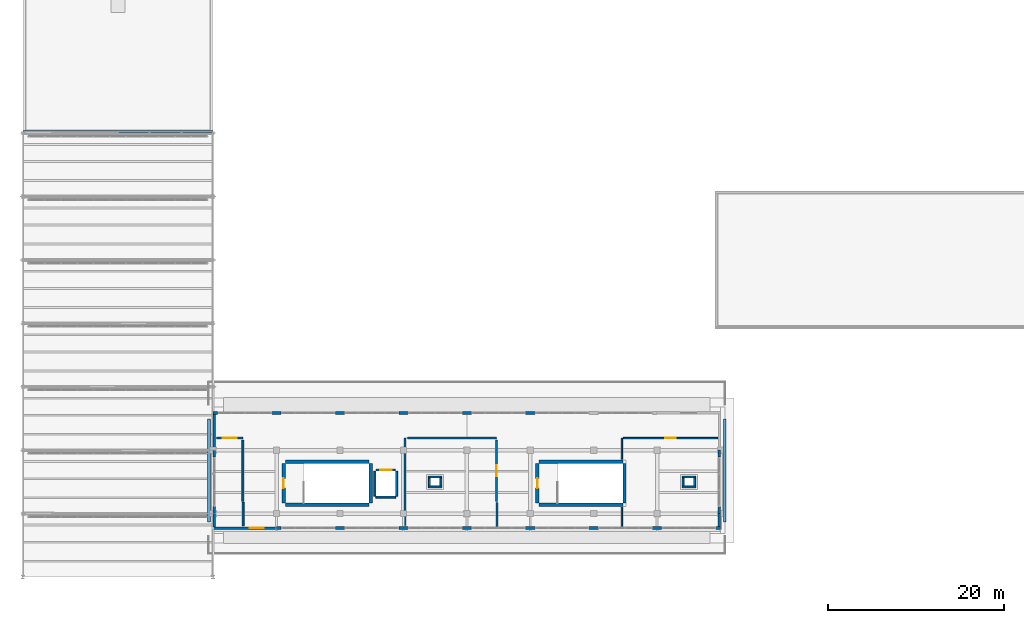
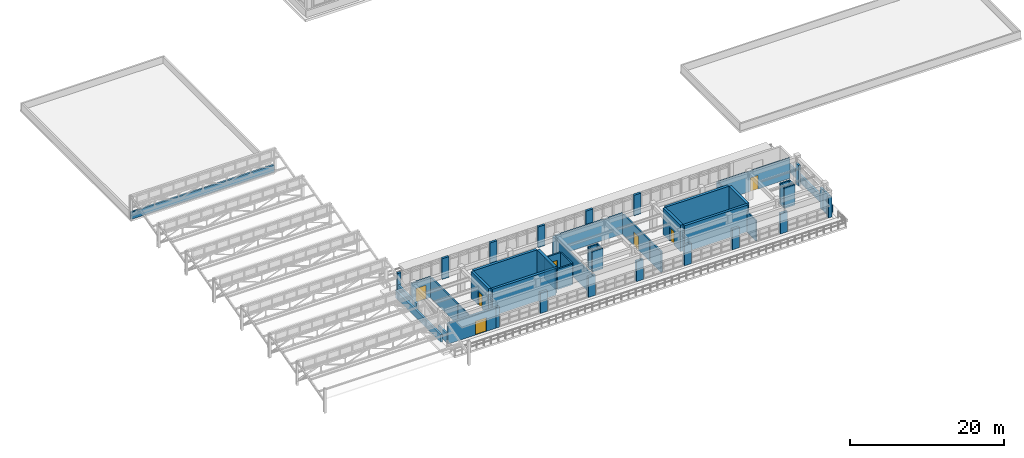
# One storey, part 45 of 55: 55 walls, 7 doors, 7 openings.
"""IFC4 building model written with IfcOpenShell, lengths in metres."""

from ifc_helpers import new_model, si_unit, direction, frame, frame_2d, origin, place, context, subcontext, project, spatial, rectangle, extrude, material, layer, layer_set, type_object, element, fill, save


model = new_model("IFC4")

# Units and contexts
model_context = context("Model", 3, precision=1e-05, world=origin(), true_north=direction((0.0, 1.0)))
body_context = subcontext(model_context, "Body", "Model", "MODEL_VIEW")
ifc_project = project(units=[si_unit("LENGTHUNIT", "METRE"), si_unit("AREAUNIT", "SQUARE_METRE"), si_unit("VOLUMEUNIT", "CUBIC_METRE"), si_unit("PLANEANGLEUNIT", "RADIAN"), si_unit("MASSUNIT", "GRAM", prefix="KILO")], contexts=[model_context])

# Site, building, storey
site_placement = place(None, origin())
site = spatial("IfcSite", under=ifc_project, at=site_placement, CompositionType="ELEMENT")
building_placement = place(site_placement, origin())
building = spatial("IfcBuilding", under=site, at=building_placement, Name="Solenvale Faculty of Natural Sciences", CompositionType="ELEMENT")
storey_placement = place(building_placement, frame((0.0, 0.0, 22.5)))
storey = spatial("IfcBuildingStorey", under=building, at=storey_placement, Name="L05", CompositionType="ELEMENT", Elevation=22.5)

# Wall, opening, door
ifc_material_1 = material(Name="Architectural bronze concrete 40 MPa", Category="concrete")
ifc_layer_1 = layer(ifc_material_1, 0.300048828125)
ifc_layer_set_1 = layer_set([ifc_layer_1], Name="Architectural bronze concrete 40 MPa")
wall_type_1 = type_object("IfcWallType", Name="WL-EXT-BRZ-300", PredefinedType="STANDARD", material=ifc_layer_set_1)
wall_1_placement = place(storey_placement, frame((64.800048828125, 19.949951171875, 0.0), z_axis=(0.0, 0.0, 1.0), x_axis=(-1.0, 0.0, 0.0)))
wall_1 = element("IfcWall", 1, at=wall_1_placement, inside=storey, type_object=wall_type_1, Name="L05 Exterior Wall 4.1", PredefinedType="STANDARD", context=body_context, shape_type="SweptSolid", body=[
    extrude(rectangle(XDim=7.199951171875, YDim=0.300048828125, at=frame_2d((3.60009765625, 0.0))), origin(), (0.0, 0.0, 1.0), 3.260009765625),
])
opening_1_placement = place(wall_1_placement, frame((1.449951171875, 0.0, 0.0)))
opening_1 = element("IfcOpeningElement", 2, at=opening_1_placement, cuts=wall_1, Name="Opening TD-45", PredefinedType="OPENING", context=body_context, shape_type="SweptSolid", body=[
    extrude(rectangle(XDim=1.60009765625, YDim=2.199951171875, at=frame_2d((0.800048828125, 1.10009765625))), frame((0.0, 0.159912109375, 0.0), z_axis=(0.0, -1.0, 0.0), x_axis=(1.0, 0.0, 0.0)), (0.0, 0.0, 1.0), 0.320068359375),
])
ifc_material_2 = material(Name="Anodised bronze aluminium", Category="aluminium")
door_type_1 = type_object("IfcDoorType", Name="DR-TER-1600x2200", OperationType="NOTDEFINED", PredefinedType="DOOR", material=ifc_material_2)
door_1_placement = place(opening_1_placement, origin())
door_1 = element("IfcDoor", 3, at=door_1_placement, inside=storey, type_object=door_type_1, Name="L05 Exterior Terrace Door TD-45", OperationType="DOUBLE_DOOR_SINGLE_SWING", OverallHeight=2.199951171875, OverallWidth=1.60009765625, PredefinedType="DOOR", context=body_context, shape_type="SweptSolid", body=[
    extrude(rectangle(XDim=1.60009765625, YDim=2.199951171875, at=frame_2d((0.800048828125, 1.10009765625))), frame((0.0, 0.02490234375, 0.0), z_axis=(0.0, -1.0, 0.0), x_axis=(1.0, 0.0, 0.0)), (0.0, 0.0, 1.0), 0.050048828125),
])
fill(opening_1, door_1)

# Walls
for number, where, z_axis, x_axis, name in (
    (4, (115.6669921875, 32.3701171875, 0.0), (0.0, 0.0, 1.0), (0.000249542498, -0.999999968864, 0.0), "L05 Sliding-Tray Rough Bronze Concrete Band 1"),
    (5, (57.1298828125, 20.6298828125, 0.0), (0.0, 0.0, 1.0), (0.0, 1.0, 0.0), "L05 Sliding-Tray Rough Bronze Concrete Band 2"),
):
    element("IfcWall", number, at=place(storey_placement, frame(where, z_axis=z_axis, x_axis=x_axis)), inside=storey, type_object=wall_type_1, Name=name, PredefinedType="PARAPET", context=body_context, shape_type="SweptSolid", body=[
        extrude(rectangle(XDim=11.740234375, YDim=0.300048828125, at=frame_2d((5.8701171875, 0.0))), origin(), (0.0, 0.0, 1.0), 1.179931640625),
    ])
ifc_layer_2 = layer(ifc_material_1, 0.324951171875)
ifc_layer_set_2 = layer_set([ifc_layer_2], Name="Architectural bronze concrete 40 MPa")
wall_type_2 = type_object("IfcWallType", Name="WL-EXT-BRZ-325", PredefinedType="STANDARD", material=ifc_layer_set_2)
for number, where, z_axis, x_axis, name in (
    (6, (94.117919921875, 33.03759765625, 0.0), (0.0, 0.0, 1.0), (-1.0, 0.0, 0.0), "L05 Facade Closure Pier 2.B3-R"),
    (7, (86.91796875, 33.03759765625, 0.0), (0.0, 0.0, 1.0), (-1.0, 0.0, 0.0), "L05 Facade Closure Pier 2.B4-R"),
):
    element("IfcWall", number, at=place(storey_placement, frame(where, z_axis=z_axis, x_axis=x_axis)), inside=storey, type_object=wall_type_2, Name=name, PredefinedType="STANDARD", context=body_context, shape_type="SweptSolid", body=[
        extrude(rectangle(XDim=1.035888671875, YDim=0.324951171875, at=frame_2d((0.51806640625, 0.0))), origin(), (0.0, 0.0, 1.0), 3.260009765625),
    ])
for number, where, z_axis, x_axis, name in (
    (8, (79.718017578125, 33.03759765625, 0.0), (0.0, 0.0, 1.0), (-1.0, 0.0, 0.0), "L05 Facade Closure Pier 2.B5-R"),
    (9, (72.51806640625, 33.03759765625, 0.0), (0.0, 0.0, 1.0), (-1.0, 0.0, 0.0), "L05 Facade Closure Pier 2.B6-R"),
    (10, (65.318115234375, 33.03759765625, 0.0), (0.0, 0.0, 1.0), (-1.0, 0.0, 0.0), "L05 Facade Closure Pier 2.B7-R"),
):
    element("IfcWall", number, at=place(storey_placement, frame(where, z_axis=z_axis, x_axis=x_axis)), inside=storey, type_object=wall_type_2, Name=name, PredefinedType="STANDARD", context=body_context, shape_type="SweptSolid", body=[
        extrude(rectangle(XDim=1.0361328125, YDim=0.324951171875, at=frame_2d((0.51806640625, 0.0))), origin(), (0.0, 0.0, 1.0), 3.260009765625),
    ])
wall_2_placement = place(storey_placement, frame((58.117919921875, 33.03759765625, 0.0), z_axis=(0.0, 0.0, 1.0), x_axis=(-1.0, 0.0, 0.0)))
element("IfcWall", 11, at=wall_2_placement, inside=storey, type_object=wall_type_2, Name="L05 Facade Closure Pier 2.B8-R", PredefinedType="STANDARD", context=body_context, shape_type="SweptSolid", body=[
    extrude(rectangle(XDim=0.517822265625, YDim=0.324951171875, at=frame_2d((0.2587890625, 0.0))), origin(), (0.0, 0.0, 1.0), 3.260009765625),
])
wall_3_placement = place(storey_placement, frame((64.800048828125, 19.96240234375, 0.0), z_axis=(0.0, 0.0, 1.0), x_axis=(1.0, 0.0, 0.0)))
element("IfcWall", 12, at=wall_3_placement, inside=storey, type_object=wall_type_2, Name="L05 Facade Closure Pier 4.B2-L", PredefinedType="STANDARD", context=body_context, shape_type="SweptSolid", body=[
    extrude(rectangle(XDim=0.51806640625, YDim=0.324951171875, at=frame_2d((0.259033203125, 0.0))), origin(), (0.0, 0.0, 1.0), 3.260009765625),
])
for number, where, z_axis, x_axis, name in (
    (13, (71.48193359375, 19.96240234375, 0.0), (0.0, 0.0, 1.0), (1.0, 0.0, 0.0), "L05 Facade Closure Pier 4.B2-R"),
    (14, (78.681884765625, 19.96240234375, 0.0), (0.0, 0.0, 1.0), (1.0, 0.0, 0.0), "L05 Facade Closure Pier 4.B3-R"),
):
    element("IfcWall", number, at=place(storey_placement, frame(where, z_axis=z_axis, x_axis=x_axis)), inside=storey, type_object=wall_type_2, Name=name, PredefinedType="STANDARD", context=body_context, shape_type="SweptSolid", body=[
        extrude(rectangle(XDim=1.0361328125, YDim=0.324951171875, at=frame_2d((0.51806640625, 0.0))), origin(), (0.0, 0.0, 1.0), 3.260009765625),
    ])
for number, where, z_axis, x_axis, name in (
    (15, (85.882080078125, 19.96240234375, 0.0), (0.0, 0.0, 1.0), (1.0, 0.0, 0.0), "L05 Facade Closure Pier 4.B4-R"),
    (16, (93.08203125, 19.96240234375, 0.0), (0.0, 0.0, 1.0), (1.0, 0.0, 0.0), "L05 Facade Closure Pier 4.B5-R"),
):
    element("IfcWall", number, at=place(storey_placement, frame(where, z_axis=z_axis, x_axis=x_axis)), inside=storey, type_object=wall_type_2, Name=name, PredefinedType="STANDARD", context=body_context, shape_type="SweptSolid", body=[
        extrude(rectangle(XDim=1.035888671875, YDim=0.324951171875, at=frame_2d((0.51806640625, 0.0))), origin(), (0.0, 0.0, 1.0), 3.260009765625),
    ])
for number, where, z_axis, x_axis, name in (
    (17, (100.281982421875, 19.96240234375, 0.0), (0.0, 0.0, 1.0), (1.0, 0.0, 0.0), "L05 Facade Closure Pier 4.B6-R"),
    (18, (107.48193359375, 19.96240234375, 0.0), (0.0, 0.0, 1.0), (1.0, 0.0, 0.0), "L05 Facade Closure Pier 4.B7-R"),
):
    element("IfcWall", number, at=place(storey_placement, frame(where, z_axis=z_axis, x_axis=x_axis)), inside=storey, type_object=wall_type_2, Name=name, PredefinedType="STANDARD", context=body_context, shape_type="SweptSolid", body=[
        extrude(rectangle(XDim=1.0361328125, YDim=0.324951171875, at=frame_2d((0.51806640625, 0.0))), origin(), (0.0, 0.0, 1.0), 3.260009765625),
    ])
wall_4_placement = place(storey_placement, frame((114.681884765625, 19.96240234375, 0.0), z_axis=(0.0, 0.0, 1.0), x_axis=(1.0, 0.0, 0.0)))
element("IfcWall", 19, at=wall_4_placement, inside=storey, type_object=wall_type_2, Name="L05 Facade Closure Pier 4.B8-R", PredefinedType="STANDARD", context=body_context, shape_type="SweptSolid", body=[
    extrude(rectangle(XDim=0.51806640625, YDim=0.324951171875, at=frame_2d((0.259033203125, 0.0))), origin(), (0.0, 0.0, 1.0), 3.260009765625),
])
ifc_material_3 = material(Name="Precast concrete 40 MPa", Category="concrete")
ifc_layer_3 = layer(ifc_material_3, 0.2451171875)
ifc_layer_set_3 = layer_set([ifc_layer_3], Name="Precast concrete 40 MPa")
wall_type_3 = type_object("IfcWallType", Name="WL-EXT-PRC-245", PredefinedType="STANDARD", material=ifc_layer_set_3)
wall_5_placement = place(storey_placement, frame((57.722412109375, 20.10009765625, 0.0), z_axis=(0.0, 0.0, 1.0), x_axis=(0.0, 1.0, 0.0)))
element("IfcWall", 20, at=wall_5_placement, inside=storey, type_object=wall_type_3, Name="L05 Exterior Wall 3.3", PredefinedType="STANDARD", context=body_context, shape_type="SweptSolid", body=[
    extrude(rectangle(XDim=1.5, YDim=0.2451171875, at=frame_2d((0.75, 0.0))), origin(), (0.0, 0.0, 1.0), 1.449951171875),
])
ifc_layer_4 = layer(ifc_material_3, 0.284912109375)
ifc_layer_set_4 = layer_set([ifc_layer_4], Name="Precast concrete 40 MPa")
wall_type_4 = type_object("IfcWallType", Name="WL-EXT-PRC-285", PredefinedType="STANDARD", material=ifc_layer_set_4)
wall_6_placement = place(storey_placement, frame((115.0576171875, 21.60009765625, 0.0), z_axis=(0.0, 0.0, 1.0), x_axis=(0.0, -1.0, 0.0)))
element("IfcWall", 21, at=wall_6_placement, inside=storey, type_object=wall_type_4, Name="L05 Exterior Wall 1.1", PredefinedType="STANDARD", context=body_context, shape_type="SweptSolid", body=[
    extrude(rectangle(XDim=1.47509765625, YDim=0.284912109375, at=frame_2d((0.737548828125, 0.0))), origin(), (0.0, 0.0, 1.0), 3.260009765625),
])
wall_7_placement = place(storey_placement, frame((115.0576171875, 21.60009765625, 0.0), z_axis=(0.0, 0.0, 1.0), x_axis=(0.0, 1.0, 0.0)))
element("IfcWall", 22, at=wall_7_placement, inside=storey, type_object=wall_type_4, Name="L05 Facade Closure Pier 1.B2-L", PredefinedType="STANDARD", context=body_context, shape_type="SweptSolid", body=[
    extrude(rectangle(XDim=0.787841796875, YDim=0.284912109375, at=frame_2d((0.39404296875, 0.0))), origin(), (0.0, 0.0, 1.0), 3.260009765625),
])
wall_8_placement = place(storey_placement, frame((115.0576171875, 28.011962890625, 0.0), z_axis=(0.0, 0.0, 1.0), x_axis=(0.0, 1.0, 0.0)))
element("IfcWall", 23, at=wall_8_placement, inside=storey, type_object=wall_type_4, Name="L05 Facade Closure Pier 1.B2-R", PredefinedType="STANDARD", context=body_context, shape_type="SweptSolid", body=[
    extrude(rectangle(XDim=0.7880859375, YDim=0.284912109375, at=frame_2d((0.39404296875, 0.0))), origin(), (0.0, 0.0, 1.0), 3.260009765625),
])
wall_9_placement = place(storey_placement, frame((57.742431640625, 28.800048828125, 0.0), z_axis=(0.0, 0.0, 1.0), x_axis=(0.0, 1.0, 0.0)))
element("IfcWall", 24, at=wall_9_placement, inside=storey, type_object=wall_type_4, Name="L05 Exterior Wall 3.1", PredefinedType="STANDARD", context=body_context, shape_type="SweptSolid", body=[
    extrude(rectangle(XDim=4.074951171875, YDim=0.284912109375, at=frame_2d((2.03759765625, 0.0))), origin(), (0.0, 0.0, 1.0), 1.449951171875),
])
wall_10_placement = place(storey_placement, frame((57.742431640625, 28.800048828125, 0.0), z_axis=(0.0, 0.0, 1.0), x_axis=(0.0, -1.0, 0.0)))
element("IfcWall", 25, at=wall_10_placement, inside=storey, type_object=wall_type_4, Name="L05 Facade Closure Pier 3.B2-L", PredefinedType="STANDARD", context=body_context, shape_type="SweptSolid", body=[
    extrude(rectangle(XDim=0.7880859375, YDim=0.284912109375, at=frame_2d((0.39404296875, 0.0))), origin(), (0.0, 0.0, 1.0), 1.449951171875),
])
wall_11_placement = place(storey_placement, frame((57.742431640625, 22.387939453125, 0.0), z_axis=(0.0, 0.0, 1.0), x_axis=(0.0, -1.0, 0.0)))
element("IfcWall", 26, at=wall_11_placement, inside=storey, type_object=wall_type_4, Name="L05 Facade Closure Pier 3.B2-R", PredefinedType="STANDARD", context=body_context, shape_type="SweptSolid", body=[
    extrude(rectangle(XDim=0.787841796875, YDim=0.284912109375, at=frame_2d((0.39404296875, 0.0))), origin(), (0.0, 0.0, 1.0), 1.449951171875),
])

# Wall, opening, door
ifc_material_4 = material(Name="Gypsum fire-rated laboratory partition")
ifc_layer_5 = layer(ifc_material_4, 0.2119140625)
ifc_layer_set_5 = layer_set([ifc_layer_5], Name="Gypsum fire-rated laboratory partition")
wall_type_5 = type_object("IfcWallType", Name="WL-LAB-212", PredefinedType="PARTITIONING", material=ifc_layer_set_5)
wall_12_placement = place(storey_placement, frame((58.0029296875, 30.179931640625, 0.0), z_axis=(0.0, 0.0, 1.0), x_axis=(1.0, 0.0, 0.0)))
wall_12 = element("IfcWall", 27, at=wall_12_placement, inside=storey, type_object=wall_type_5, Name="L05 Marine and Freshwater Biology Laboratory Partition 2", PredefinedType="PARTITIONING", context=body_context, shape_type="SweptSolid", body=[
    extrude(rectangle(XDim=2.97705078125, YDim=0.2119140625, at=frame_2d((1.488525390625, 0.0))), origin(), (0.0, 0.0, 1.0), 3.260009765625),
])
opening_2_placement = place(wall_12_placement, frame((0.712890625, 0.0, 0.0)))
opening_2 = element("IfcOpeningElement", 28, at=opening_2_placement, cuts=wall_12, Name="Opening D-L05-03", PredefinedType="OPENING", context=body_context, shape_type="SweptSolid", body=[
    extrude(rectangle(XDim=1.550048828125, YDim=2.199951171875, at=frame_2d((0.77490234375, 1.10009765625))), frame((0.0, 0.115966796875, 0.0), z_axis=(0.0, -1.0, 0.0), x_axis=(1.0, 0.0, 0.0)), (0.0, 0.0, 1.0), 0.23193359375),
])
ifc_material_5 = material(Name="Oak acoustic timber leaf", Category="wood")
door_type_2 = type_object("IfcDoorType", Name="DR-LAB-1550x2200", OperationType="NOTDEFINED", PredefinedType="DOOR", material=ifc_material_5)
door_2_placement = place(opening_2_placement, origin())
door_2 = element("IfcDoor", 29, at=door_2_placement, inside=storey, type_object=door_type_2, Name="L05 Marine and Freshwater Biology Laboratory Door", OperationType="SINGLE_SWING_LEFT", OverallHeight=2.199951171875, OverallWidth=1.550048828125, PredefinedType="DOOR", context=body_context, shape_type="SweptSolid", body=[
    extrude(rectangle(XDim=1.550048828125, YDim=2.199951171875, at=frame_2d((0.77490234375, 1.10009765625))), frame((0.0, 0.02490234375, 0.0), z_axis=(0.0, -1.0, 0.0), x_axis=(1.0, 0.0, 0.0)), (0.0, 0.0, 1.0), 0.050048828125),
])
fill(opening_2, door_2)

# Walls
wall_13_placement = place(storey_placement, frame((60.97998046875, 29.9560546875, 0.0), z_axis=(0.0, 0.0, 1.0), x_axis=(0.0, -1.0, 0.0)))
element("IfcWall", 30, at=wall_13_placement, inside=storey, type_object=wall_type_5, Name="L05 Marine and Freshwater Biology Laboratory Partition 3", PredefinedType="PARTITIONING", context=body_context, shape_type="SweptSolid", body=[
    extrude(rectangle(XDim=6.9560546875, YDim=0.2119140625, at=frame_2d((3.47802734375, 0.0))), origin(), (0.0, 0.0, 1.0), 3.260009765625),
])
wall_14_placement = place(storey_placement, frame((61.0, 22.882080078125, 0.0), z_axis=(0.0, 0.0, 1.0), x_axis=(0.0, -1.0, 0.0)))
element("IfcWall", 31, at=wall_14_placement, inside=storey, type_object=wall_type_5, Name="L05 Marine and Freshwater Biology Laboratory Partition 20", PredefinedType="PARTITIONING", context=body_context, shape_type="SweptSolid", body=[
    extrude(rectangle(XDim=2.6640625, YDim=0.2119140625, at=frame_2d((1.33203125, 0.0))), origin(), (0.0, 0.0, 1.0), 3.260009765625),
])
ifc_layer_6 = layer(ifc_material_4, 0.22802734375)
ifc_layer_set_6 = layer_set([ifc_layer_6], Name="Gypsum fire-rated laboratory partition")
wall_type_6 = type_object("IfcWallType", Name="WL-LAB-228", PredefinedType="PARTITIONING", material=ifc_layer_set_6)
wall_15_placement = place(storey_placement, frame((79.39990234375, 20.2509765625, 0.0), z_axis=(0.0, 0.0, 1.0), x_axis=(0.0, 1.0, 0.0)))
element("IfcWall", 32, at=wall_15_placement, inside=storey, type_object=wall_type_6, Name="L05 Atmospheric Chemistry Laboratory Partition 1", PredefinedType="PARTITIONING", context=body_context, shape_type="SweptSolid", body=[
    extrude(rectangle(XDim=9.928955078125, YDim=0.22802734375, at=frame_2d((4.96435546875, 0.0))), origin(), (0.0, 0.0, 1.0), 3.260009765625),
])
wall_16_placement = place(storey_placement, frame((79.639892578125, 30.179931640625, 0.0), z_axis=(0.0, 0.0, 1.0), x_axis=(1.0, 0.0, 0.0)))
element("IfcWall", 33, at=wall_16_placement, inside=storey, type_object=wall_type_6, Name="L05 Atmospheric Chemistry Laboratory Partition 2", PredefinedType="PARTITIONING", context=body_context, shape_type="SweptSolid", body=[
    extrude(rectangle(XDim=10.14013671875, YDim=0.22802734375, at=frame_2d((5.070068359375, 0.0))), origin(), (0.0, 0.0, 1.0), 3.260009765625),
])

# Wall, opening, door
wall_17_placement = place(storey_placement, frame((89.780029296875, 29.93994140625, 0.0), z_axis=(0.0, 0.0, 1.0), x_axis=(0.0, -1.0, 0.0)))
wall_17 = element("IfcWall", 34, at=wall_17_placement, inside=storey, type_object=wall_type_6, Name="L05 Atmospheric Chemistry Laboratory Partition 3", PredefinedType="PARTITIONING", context=body_context, shape_type="SweptSolid", body=[
    extrude(rectangle(XDim=6.93994140625, YDim=0.22802734375, at=frame_2d((3.469970703125, 0.0))), origin(), (0.0, 0.0, 1.0), 3.260009765625),
])
opening_3_placement = place(wall_17_placement, frame((2.830078125, 0.0, 0.0)))
opening_3 = element("IfcOpeningElement", 35, at=opening_3_placement, cuts=wall_17, Name="Opening D-L05-04", PredefinedType="OPENING", context=body_context, shape_type="SweptSolid", body=[
    extrude(rectangle(XDim=1.280029296875, YDim=2.14990234375, at=frame_2d((0.64013671875, 1.074951171875))), frame((0.0, 0.1240234375, 0.0), z_axis=(0.0, -1.0, 0.0), x_axis=(1.0, 0.0, 0.0)), (0.0, 0.0, 1.0), 0.248046875),
])
door_type_3 = type_object("IfcDoorType", Name="DR-LAB-1280x2150", OperationType="NOTDEFINED", PredefinedType="DOOR", material=ifc_material_5)
door_3_placement = place(opening_3_placement, origin())
door_3 = element("IfcDoor", 36, at=door_3_placement, inside=storey, type_object=door_type_3, Name="L05 Atmospheric Chemistry Laboratory Door", OperationType="SINGLE_SWING_RIGHT", OverallHeight=2.14990234375, OverallWidth=1.280029296875, PredefinedType="DOOR", context=body_context, shape_type="SweptSolid", body=[
    extrude(rectangle(XDim=1.280029296875, YDim=2.14990234375, at=frame_2d((0.64013671875, 1.074951171875))), frame((0.0, 0.02490234375, 0.0), z_axis=(0.0, -1.0, 0.0), x_axis=(1.0, 0.0, 0.0)), (0.0, 0.0, 1.0), 0.050048828125),
])
fill(opening_3, door_3)

# Walls
wall_18_placement = place(storey_placement, frame((89.800048828125, 22.8740234375, 0.0), z_axis=(0.0, 0.0, 1.0), x_axis=(0.0, -1.0, 0.0)))
element("IfcWall", 37, at=wall_18_placement, inside=storey, type_object=wall_type_6, Name="L05 Atmospheric Chemistry Laboratory Partition 20", PredefinedType="PARTITIONING", context=body_context, shape_type="SweptSolid", body=[
    extrude(rectangle(XDim=2.8720703125, YDim=0.22802734375, at=frame_2d((1.43603515625, 0.0))), origin(), (0.0, 0.0, 1.0), 3.260009765625),
])
ifc_material_6 = material(Name="Chazy limestone masonry", Category="masonry")
ifc_layer_7 = layer(ifc_material_6, 0.2548828125)
ifc_layer_set_7 = layer_set([ifc_layer_7], Name="Chazy limestone masonry")
wall_type_7 = type_object("IfcWallType", Name="WL-PAR-LIM-255", PredefinedType="PARAPET", material=ifc_layer_set_7)
wall_19_placement = place(storey_placement, frame((57.56005859375, 64.968017578125, 0.0), z_axis=(0.0, 0.0, 1.0), x_axis=(-1.0, 0.0, 0.0)))
element("IfcWall", 38, at=wall_19_placement, inside=storey, type_object=wall_type_7, Name="L05 Roof Parapet 5.4", PredefinedType="PARAPET", context=body_context, shape_type="SweptSolid", body=[
    extrude(rectangle(XDim=21.52001953125, YDim=0.2548828125, at=frame_2d((10.760009765625, 0.0))), origin(), (0.0, 0.0, 1.0), 1.1201171875),
])
ifc_material_7 = material(Name="Acoustic double-stud gypsum partition")
ifc_layer_8 = layer(ifc_material_7, 0.1650390625)
ifc_layer_set_8 = layer_set([ifc_layer_8], Name="Acoustic double-stud gypsum partition")
wall_type_8 = type_object("IfcWallType", Name="WL-SEM-165", PredefinedType="PARTITIONING", material=ifc_layer_set_8)
wall_20_placement = place(storey_placement, frame((104.0, 20.001953125, 0.0), z_axis=(0.0, 0.0, 1.0), x_axis=(0.0, 1.0, 0.0)))
element("IfcWall", 39, at=wall_20_placement, inside=storey, type_object=wall_type_8, Name="L05 Seminar Room Partition 3", PredefinedType="PARTITIONING", context=body_context, shape_type="SweptSolid", body=[
    extrude(rectangle(XDim=2.322998046875, YDim=0.1650390625, at=frame_2d((1.16162109375, 0.0))), origin(), (0.0, 0.0, 1.0), 3.260009765625),
])
wall_21_placement = place(storey_placement, frame((104.0, 27.77392578125, 0.0), z_axis=(0.0, 0.0, 1.0), x_axis=(0.0, 1.0, 0.0)))
element("IfcWall", 40, at=wall_21_placement, inside=storey, type_object=wall_type_8, Name="L05 Seminar Room Partition 39", PredefinedType="PARTITIONING", context=body_context, shape_type="SweptSolid", body=[
    extrude(rectangle(XDim=2.406005859375, YDim=0.1650390625, at=frame_2d((1.203125, 0.0))), origin(), (0.0, 0.0, 1.0), 3.260009765625),
])

# Wall, opening, door
wall_22_placement = place(storey_placement, frame((104.177001953125, 30.179931640625, 0.0), z_axis=(0.0, 0.0, 1.0), x_axis=(1.0, 0.0, 0.0)))
wall_22 = element("IfcWall", 41, at=wall_22_placement, inside=storey, type_object=wall_type_8, Name="L05 Seminar Room Partition 40", PredefinedType="PARTITIONING", context=body_context, shape_type="SweptSolid", body=[
    extrude(rectangle(XDim=10.68408203125, YDim=0.1650390625, at=frame_2d((5.342041015625, 0.0))), origin(), (0.0, 0.0, 1.0), 3.260009765625),
])
opening_4_placement = place(wall_22_placement, frame((4.76708984375, 0.0, 0.0)))
opening_4 = element("IfcOpeningElement", 42, at=opening_4_placement, cuts=wall_22, Name="Opening D-L05-05", PredefinedType="OPENING", context=body_context, shape_type="SweptSolid", body=[
    extrude(rectangle(XDim=1.14990234375, YDim=2.14990234375, at=frame_2d((0.574951171875, 1.074951171875))), frame((0.0, 0.092529296875, 0.0), z_axis=(0.0, -1.0, 0.0), x_axis=(1.0, 0.0, 0.0)), (0.0, 0.0, 1.0), 0.18505859375),
])
door_type_4 = type_object("IfcDoorType", Name="DR-SEM-1150x2150", OperationType="NOTDEFINED", PredefinedType="DOOR", material=ifc_material_5)
door_4_placement = place(opening_4_placement, origin())
door_4 = element("IfcDoor", 43, at=door_4_placement, inside=storey, type_object=door_type_4, Name="L05 Seminar Room Door", OperationType="SINGLE_SWING_LEFT", OverallHeight=2.14990234375, OverallWidth=1.14990234375, PredefinedType="DOOR", context=body_context, shape_type="SweptSolid", body=[
    extrude(rectangle(XDim=1.14990234375, YDim=2.14990234375, at=frame_2d((0.574951171875, 1.074951171875))), frame((0.0, 0.02490234375, 0.0), z_axis=(0.0, -1.0, 0.0), x_axis=(1.0, 0.0, 0.0)), (0.0, 0.0, 1.0), 0.050048828125),
])
fill(opening_4, door_4)

# Wall
ifc_material_8 = material(Name="Concrete 40 MPa", Category="concrete")
ifc_layer_9 = layer(ifc_material_8, 0.219970703125)
ifc_layer_set_9 = layer_set([ifc_layer_9], Name="Concrete 40 MPa")
wall_type_9 = type_object("IfcWallType", Name="WL-SHF-220", PredefinedType="STANDARD", material=ifc_layer_set_9)
wall_23_placement = place(storey_placement, frame((76.080078125, 23.469970703125, 0.0), z_axis=(0.0, 0.0, 1.0), x_axis=(1.0, 0.0, 0.0)))
element("IfcWall", 44, at=wall_23_placement, inside=storey, type_object=wall_type_9, Name="Elevator LG-01 L05 Shaft Wall S", PredefinedType="STANDARD", context=body_context, shape_type="SweptSolid", body=[
    extrude(rectangle(XDim=2.239990234375, YDim=0.219970703125, at=frame_2d((1.1201171875, 0.0))), origin(), (0.0, 0.0, 1.0), 3.260009765625),
])

# Wall, opening, door
wall_24_placement = place(storey_placement, frame((76.080078125, 26.530029296875, 0.0), z_axis=(0.0, 0.0, 1.0), x_axis=(1.0, 0.0, 0.0)))
wall_24 = element("IfcWall", 45, at=wall_24_placement, inside=storey, type_object=wall_type_9, Name="Elevator LG-01 L05 Shaft Wall N", PredefinedType="STANDARD", context=body_context, shape_type="SweptSolid", body=[
    extrude(rectangle(XDim=2.239990234375, YDim=0.219970703125, at=frame_2d((1.1201171875, 0.0))), origin(), (0.0, 0.0, 1.0), 3.260009765625),
])
opening_5_placement = place(wall_24_placement, frame((0.469970703125, 0.0, 0.0)))
opening_5 = element("IfcOpeningElement", 46, at=opening_5_placement, cuts=wall_24, Name="Opening LD-LG-01-L05", PredefinedType="OPENING", context=body_context, shape_type="SweptSolid", body=[
    extrude(rectangle(XDim=1.300048828125, YDim=2.199951171875, at=frame_2d((0.64990234375, 1.10009765625))), frame((0.0, 0.119873046875, 0.0), z_axis=(0.0, -1.0, 0.0), x_axis=(1.0, 0.0, 0.0)), (0.0, 0.0, 1.0), 0.239990234375),
])
ifc_material_9 = material(Name="Stainless steel Grade 304", Category="steel")
door_type_5 = type_object("IfcDoorType", Name="DR-LIFT-1300x2200", OperationType="NOTDEFINED", PredefinedType="DOOR", material=ifc_material_9)
door_5_placement = place(opening_5_placement, origin())
door_5 = element("IfcDoor", 47, at=door_5_placement, inside=storey, type_object=door_type_5, Name="Elevator LG-01 L05 Sliding Landing Door", OperationType="SLIDING_TO_LEFT", OverallHeight=2.199951171875, OverallWidth=1.300048828125, PredefinedType="DOOR", context=body_context, shape_type="SweptSolid", body=[
    extrude(rectangle(XDim=1.300048828125, YDim=2.199951171875, at=frame_2d((0.64990234375, 1.10009765625))), frame((0.0, 0.02490234375, 0.0), z_axis=(0.0, -1.0, 0.0), x_axis=(1.0, 0.0, 0.0)), (0.0, 0.0, 1.0), 0.050048828125),
])
fill(opening_5, door_5)

# Walls
for number, where, z_axis, x_axis, name in (
    (48, (75.969970703125, 23.580078125, 0.0), (0.0, 0.0, 1.0), (0.0, 1.0, 0.0), "Elevator LG-01 L05 Shaft Wall W"),
    (49, (78.429931640625, 23.580078125, 0.0), (0.0, 0.0, 1.0), (0.0, 1.0, 0.0), "Elevator LG-01 L05 Shaft Wall E"),
):
    element("IfcWall", number, at=place(storey_placement, frame(where, z_axis=z_axis, x_axis=x_axis)), inside=storey, type_object=wall_type_9, Name=name, PredefinedType="STANDARD", context=body_context, shape_type="SweptSolid", body=[
        extrude(rectangle(XDim=2.83984375, YDim=0.219970703125, at=frame_2d((1.419921875, 0.0))), origin(), (0.0, 0.0, 1.0), 3.260009765625),
    ])
for number, where, z_axis, x_axis, name in (
    (50, (82.030029296875, 24.639892578125, 0.0), (0.0, 0.0, 1.0), (1.0, 0.0, 0.0), "L05 Service Riser Shaft 1 Wall S"),
    (51, (82.030029296875, 25.760009765625, 0.0), (0.0, 0.0, 1.0), (1.0, 0.0, 0.0), "L05 Service Riser Shaft 1 Wall N"),
):
    element("IfcWall", number, at=place(storey_placement, frame(where, z_axis=z_axis, x_axis=x_axis)), inside=storey, type_object=wall_type_9, Name=name, PredefinedType="STANDARD", context=body_context, shape_type="SweptSolid", body=[
        extrude(rectangle(XDim=1.5400390625, YDim=0.219970703125, at=frame_2d((0.77001953125, 0.0))), origin(), (0.0, 0.0, 1.0), 3.260009765625),
    ])
for number, where, z_axis, x_axis, name in (
    (52, (82.139892578125, 24.75, 0.0), (0.0, 0.0, 1.0), (0.0, 1.0, 0.0), "L05 Service Riser Shaft 1 Wall W"),
    (53, (83.4599609375, 24.75, 0.0), (0.0, 0.0, 1.0), (0.0, 1.0, 0.0), "L05 Service Riser Shaft 1 Wall E"),
):
    element("IfcWall", number, at=place(storey_placement, frame(where, z_axis=z_axis, x_axis=x_axis)), inside=storey, type_object=wall_type_9, Name=name, PredefinedType="STANDARD", context=body_context, shape_type="SweptSolid", body=[
        extrude(rectangle(XDim=0.89990234375, YDim=0.219970703125, at=frame_2d((0.449951171875, 0.0))), origin(), (0.0, 0.0, 1.0), 3.260009765625),
    ])
for number, where, z_axis, x_axis, name in (
    (54, (110.830078125, 24.639892578125, 0.0), (0.0, 0.0, 1.0), (1.0, 0.0, 0.0), "L05 Service Riser Shaft 2 Wall S"),
    (55, (110.830078125, 25.760009765625, 0.0), (0.0, 0.0, 1.0), (1.0, 0.0, 0.0), "L05 Service Riser Shaft 2 Wall N"),
):
    element("IfcWall", number, at=place(storey_placement, frame(where, z_axis=z_axis, x_axis=x_axis)), inside=storey, type_object=wall_type_9, Name=name, PredefinedType="STANDARD", context=body_context, shape_type="SweptSolid", body=[
        extrude(rectangle(XDim=1.5400390625, YDim=0.219970703125, at=frame_2d((0.77001953125, 0.0))), origin(), (0.0, 0.0, 1.0), 3.260009765625),
    ])
for number, where, z_axis, x_axis, name in (
    (56, (110.93994140625, 24.75, 0.0), (0.0, 0.0, 1.0), (0.0, 1.0, 0.0), "L05 Service Riser Shaft 2 Wall W"),
    (57, (112.260009765625, 24.75, 0.0), (0.0, 0.0, 1.0), (0.0, 1.0, 0.0), "L05 Service Riser Shaft 2 Wall E"),
):
    element("IfcWall", number, at=place(storey_placement, frame(where, z_axis=z_axis, x_axis=x_axis)), inside=storey, type_object=wall_type_9, Name=name, PredefinedType="STANDARD", context=body_context, shape_type="SweptSolid", body=[
        extrude(rectangle(XDim=0.89990234375, YDim=0.219970703125, at=frame_2d((0.449951171875, 0.0))), origin(), (0.0, 0.0, 1.0), 3.260009765625),
    ])
ifc_material_10 = material(Name="Concrete 50 MPa", Category="concrete")
ifc_layer_10 = layer(ifc_material_10, 0.3798828125)
ifc_layer_set_10 = layer_set([ifc_layer_10], Name="Concrete 50 MPa")
wall_type_10 = type_object("IfcWallType", Name="WL-SHR-380", PredefinedType="SHEAR", material=ifc_layer_set_10)
for number, where, z_axis, x_axis, name in (
    (58, (65.800048828125, 22.610107421875, 0.0), (0.0, 0.0, 1.0), (1.0, 0.0, 0.0), "Core C3 L05 Shear Wall S"),
    (59, (65.800048828125, 27.489990234375, 0.0), (0.0, 0.0, 1.0), (1.0, 0.0, 0.0), "Core C3 L05 Shear Wall N"),
):
    element("IfcWall", number, at=place(storey_placement, frame(where, z_axis=z_axis, x_axis=x_axis)), inside=storey, type_object=wall_type_10, Name=name, PredefinedType="SHEAR", context=body_context, shape_type="SweptSolid", body=[
        extrude(rectangle(XDim=9.5, YDim=0.3798828125, at=frame_2d((4.75, 0.0))), origin(), (0.0, 0.0, 1.0), 4.219970703125),
    ])

# Wall, opening, door
wall_25_placement = place(storey_placement, frame((65.610107421875, 22.800048828125, 0.0), z_axis=(0.0, 0.0, 1.0), x_axis=(0.0, 1.0, 0.0)))
wall_25 = element("IfcWall", 60, at=wall_25_placement, inside=storey, type_object=wall_type_10, Name="Core C3 L05 Shear Wall W", PredefinedType="SHEAR", context=body_context, shape_type="SweptSolid", body=[
    extrude(rectangle(XDim=4.5, YDim=0.3798828125, at=frame_2d((2.25, 0.0))), origin(), (0.0, 0.0, 1.0), 4.219970703125),
])
opening_6_placement = place(wall_25_placement, frame((1.699951171875, 0.0, 0.0)))
opening_6 = element("IfcOpeningElement", 61, at=opening_6_placement, cuts=wall_25, Name="Opening DS-C3-L05", PredefinedType="OPENING", context=body_context, shape_type="SweptSolid", body=[
    extrude(rectangle(XDim=1.10009765625, YDim=2.14990234375, at=frame_2d((0.550048828125, 1.074951171875))), frame((0.0, 0.199951171875, 0.0), z_axis=(0.0, -1.0, 0.0), x_axis=(1.0, 0.0, 0.0)), (0.0, 0.0, 1.0), 0.39990234375),
])
ifc_material_11 = material(Name="Galvanised steel S355", Category="steel")
door_type_6 = type_object("IfcDoorType", Name="DR-STAIR-1100x2150", OperationType="NOTDEFINED", PredefinedType="DOOR", material=ifc_material_11)
door_6_placement = place(opening_6_placement, origin())
door_6 = element("IfcDoor", 62, at=door_6_placement, inside=storey, type_object=door_type_6, Name="L05 Stair ST-03 Fire Door", OperationType="SINGLE_SWING_LEFT", OverallHeight=2.14990234375, OverallWidth=1.10009765625, PredefinedType="DOOR", context=body_context, shape_type="SweptSolid", body=[
    extrude(rectangle(XDim=1.10009765625, YDim=2.14990234375, at=frame_2d((0.550048828125, 1.074951171875))), frame((0.0, 0.02490234375, 0.0), z_axis=(0.0, -1.0, 0.0), x_axis=(1.0, 0.0, 0.0)), (0.0, 0.0, 1.0), 0.050048828125),
])
fill(opening_6, door_6)

# Walls
wall_26_placement = place(storey_placement, frame((75.489990234375, 22.800048828125, 0.0), z_axis=(0.0, 0.0, 1.0), x_axis=(0.0, 1.0, 0.0)))
element("IfcWall", 63, at=wall_26_placement, inside=storey, type_object=wall_type_10, Name="Core C3 L05 Shear Wall E", PredefinedType="SHEAR", context=body_context, shape_type="SweptSolid", body=[
    extrude(rectangle(XDim=4.5, YDim=0.3798828125, at=frame_2d((2.25, 0.0))), origin(), (0.0, 0.0, 1.0), 4.219970703125),
])
for number, where, z_axis, x_axis, name in (
    (64, (94.60009765625, 22.610107421875, 0.0), (0.0, 0.0, 1.0), (1.0, 0.0, 0.0), "Core C3B L05 Shear Wall S"),
    (65, (94.60009765625, 27.489990234375, 0.0), (0.0, 0.0, 1.0), (1.0, 0.0, 0.0), "Core C3B L05 Shear Wall N"),
):
    element("IfcWall", number, at=place(storey_placement, frame(where, z_axis=z_axis, x_axis=x_axis)), inside=storey, type_object=wall_type_10, Name=name, PredefinedType="SHEAR", context=body_context, shape_type="SweptSolid", body=[
        extrude(rectangle(XDim=9.5, YDim=0.3798828125, at=frame_2d((4.75, 0.0))), origin(), (0.0, 0.0, 1.0), 4.219970703125),
    ])

# Wall, opening, door
wall_27_placement = place(storey_placement, frame((94.409912109375, 22.800048828125, 0.0), z_axis=(0.0, 0.0, 1.0), x_axis=(0.0, 1.0, 0.0)))
wall_27 = element("IfcWall", 66, at=wall_27_placement, inside=storey, type_object=wall_type_10, Name="Core C3B L05 Shear Wall W", PredefinedType="SHEAR", context=body_context, shape_type="SweptSolid", body=[
    extrude(rectangle(XDim=4.5, YDim=0.3798828125, at=frame_2d((2.25, 0.0))), origin(), (0.0, 0.0, 1.0), 4.219970703125),
])
opening_7_placement = place(wall_27_placement, frame((1.699951171875, 0.0, 0.0)))
opening_7 = element("IfcOpeningElement", 67, at=opening_7_placement, cuts=wall_27, Name="Opening DS-C3B-L05", PredefinedType="OPENING", context=body_context, shape_type="SweptSolid", body=[
    extrude(rectangle(XDim=1.10009765625, YDim=2.14990234375, at=frame_2d((0.550048828125, 1.074951171875))), frame((0.0, 0.199951171875, 0.0), z_axis=(0.0, -1.0, 0.0), x_axis=(1.0, 0.0, 0.0)), (0.0, 0.0, 1.0), 0.39990234375),
])
door_7_placement = place(opening_7_placement, origin())
door_7 = element("IfcDoor", 68, at=door_7_placement, inside=storey, type_object=door_type_6, Name="L05 Stair ST-07 Fire Door", OperationType="SINGLE_SWING_LEFT", OverallHeight=2.14990234375, OverallWidth=1.10009765625, PredefinedType="DOOR", context=body_context, shape_type="SweptSolid", body=[
    extrude(rectangle(XDim=1.10009765625, YDim=2.14990234375, at=frame_2d((0.550048828125, 1.074951171875))), frame((0.0, 0.02490234375, 0.0), z_axis=(0.0, -1.0, 0.0), x_axis=(1.0, 0.0, 0.0)), (0.0, 0.0, 1.0), 0.050048828125),
])
fill(opening_7, door_7)

# Wall
wall_28_placement = place(storey_placement, frame((104.2900390625, 22.800048828125, 0.0), z_axis=(0.0, 0.0, 1.0), x_axis=(0.0, 1.0, 0.0)))
element("IfcWall", 69, at=wall_28_placement, inside=storey, type_object=wall_type_10, Name="Core C3B L05 Shear Wall E", PredefinedType="SHEAR", context=body_context, shape_type="SweptSolid", body=[
    extrude(rectangle(XDim=4.5, YDim=0.3798828125, at=frame_2d((2.25, 0.0))), origin(), (0.0, 0.0, 1.0), 4.219970703125),
])

save(model, "model.ifc")
